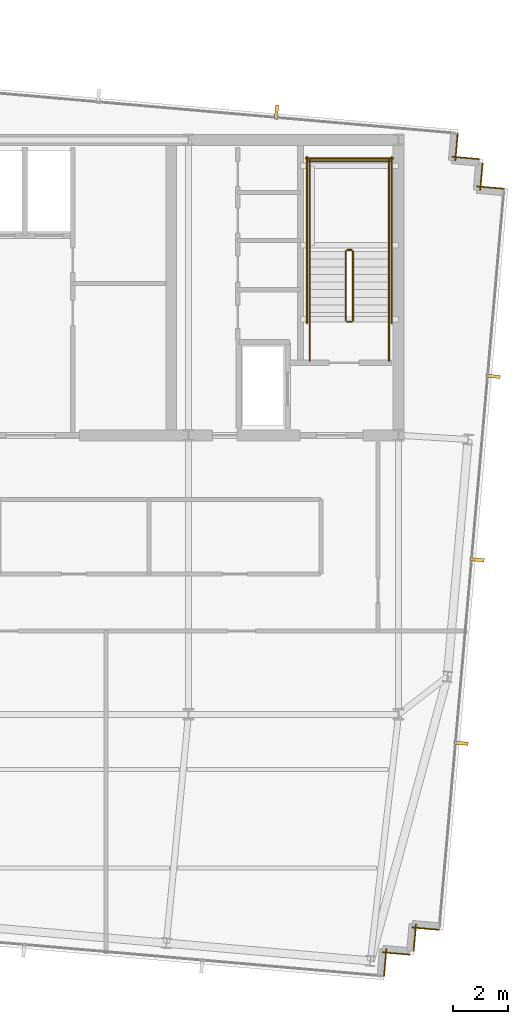
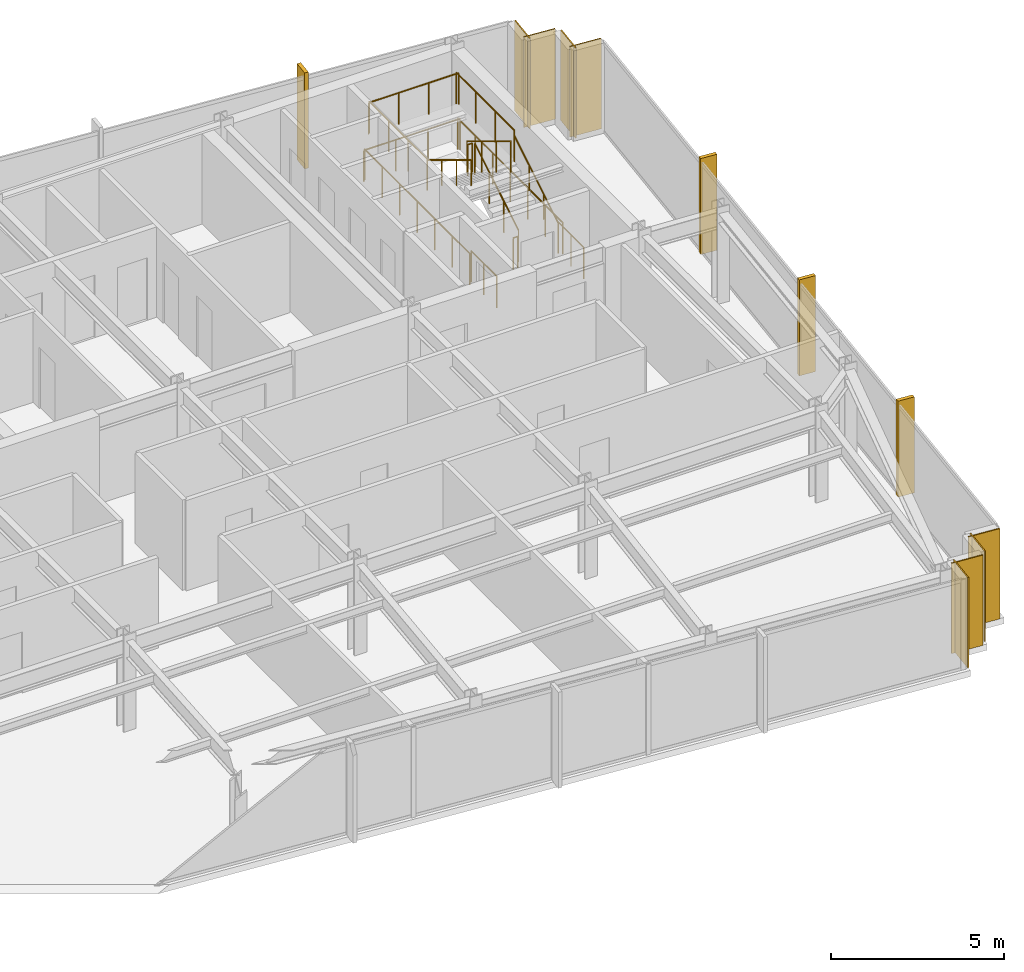
# One storey, part 31 of 32: 14 railings, 8 coverings, 4 shading devices.
"""IFC4 building model written with IfcOpenShell, lengths in metres."""

from ifc_helpers import new_model, si_unit, direction, frame, frame_2d, origin, origin_2d, place, context, subcontext, project, spatial, rectangle, circle, extrude, material, layer, layer_set, type_object, element, save


model = new_model("IFC4")

# Units and contexts
model_context = context("Model", 3, precision=1e-05, world=origin(), true_north=direction((0.0, 1.0)))
body_context = subcontext(model_context, "Body", "Model", "MODEL_VIEW")
ifc_project = project(units=[si_unit("LENGTHUNIT", "METRE"), si_unit("AREAUNIT", "SQUARE_METRE"), si_unit("VOLUMEUNIT", "CUBIC_METRE"), si_unit("PLANEANGLEUNIT", "RADIAN"), si_unit("MASSUNIT", "GRAM", prefix="KILO")], contexts=[model_context])

# Site, building, storey
site_placement = place(None, origin())
site = spatial("IfcSite", under=ifc_project, at=site_placement, CompositionType="ELEMENT")
building_placement = place(site_placement, origin())
building = spatial("IfcBuilding", under=site, at=building_placement, Name="Yelkora Congress Tower", CompositionType="ELEMENT")
storey_placement = place(building_placement, frame((0.0, 0.0, 269.300048828125)))
storey = spatial("IfcBuildingStorey", under=building, at=storey_placement, Name="L75", CompositionType="ELEMENT", Elevation=269.300048828125)

# Coverings
ifc_material_1 = material(Name="Anatolian bush-hammered limestone", Category="masonry")
ifc_layer_1 = layer(ifc_material_1, 0.0400390625)
ifc_layer_set_1 = layer_set([ifc_layer_1], Name="Anatolian bush-hammered limestone")
covering_type = type_object("IfcCoveringType", Name="COV-CLAD-SPANDREL-40", PredefinedType="CLADDING", material=ifc_layer_set_1)
for number, where, z_axis, x_axis, name in (
    (1, (55.92041015625, 46.431396484375, 0.0), (0.0, 0.0, 1.0), (-0.086903493655, -0.996216734848, 0.0), "L75 Anatolian Limestone Cladding EW-L75-SR11"),
    (2, (55.710693359375, 45.581298828125, 0.0), (0.0, 0.0, 1.0), (0.996193717496, -0.087166950281, 0.0), "L75 Anatolian Limestone Cladding EW-L75-SR12"),
    (3, (56.82958984375, 45.347900390625, 0.0), (0.0, 0.0, 1.0), (-0.087166950281, -0.996193717496, 0.0), "L75 Anatolian Limestone Cladding EW-L75-SR13"),
):
    element("IfcCovering", number, at=place(storey_placement, frame(where, z_axis=z_axis, x_axis=x_axis)), inside=storey, type_object=covering_type, Name=name, PredefinedType="CLADDING", context=body_context, shape_type="SweptSolid", body=[
        extrude(rectangle(XDim=1.0, YDim=0.0400390625, at=frame_2d((0.5, 0.0))), origin(), (0.0, 0.0, 1.0), 3.179931640625),
    ])
covering_1_placement = place(storey_placement, frame((56.61962890625, 44.498046875, 0.0), z_axis=(0.0, 0.0, 1.0), x_axis=(0.996195572005, -0.087145753297, 0.0)))
element("IfcCovering", 4, at=covering_1_placement, inside=storey, type_object=covering_type, Name="L75 Anatolian Limestone Cladding EW-L75-SR14", PredefinedType="CLADDING", context=body_context, shape_type="SweptSolid", body=[
    extrude(rectangle(XDim=1.000244140625, YDim=0.0400390625, at=frame_2d((0.5, 0.0))), origin(), (0.0, 0.0, 1.0), 3.179931640625),
])
for number, where, z_axis, x_axis, name in (
    (5, (55.24609375, 17.32421875, 0.0), (0.0, 0.0, 1.0), (-0.99617248636, 0.08740925248, 0.0), "L75 Anatolian Limestone Cladding EW-L75-SR16"),
    (6, (54.396240234375, 17.5341796875, 0.0), (0.0, 0.0, 1.0), (-0.087166950281, -0.996193717496, 0.0), "L75 Anatolian Limestone Cladding EW-L75-SR17"),
):
    element("IfcCovering", number, at=place(storey_placement, frame(where, z_axis=z_axis, x_axis=x_axis)), inside=storey, type_object=covering_type, Name=name, PredefinedType="CLADDING", context=body_context, shape_type="SweptSolid", body=[
        extrude(rectangle(XDim=1.0, YDim=0.0400390625, at=frame_2d((0.5, 0.0))), origin(), (0.0, 0.0, 1.0), 3.179931640625),
    ])
covering_2_placement = place(storey_placement, frame((54.162841796875, 16.415283203125, 0.0), z_axis=(0.0, 0.0, 1.0), x_axis=(-0.996195572005, 0.087145753297, 0.0)))
element("IfcCovering", 7, at=covering_2_placement, inside=storey, type_object=covering_type, Name="L75 Anatolian Limestone Cladding EW-L75-SR18", PredefinedType="CLADDING", context=body_context, shape_type="SweptSolid", body=[
    extrude(rectangle(XDim=1.000244140625, YDim=0.0400390625, at=frame_2d((0.5, 0.0))), origin(), (0.0, 0.0, 1.0), 3.179931640625),
])
covering_3_placement = place(storey_placement, frame((53.312744140625, 16.625, 0.0), z_axis=(0.0, 0.0, 1.0), x_axis=(-0.087166950281, -0.996193717496, 0.0)))
element("IfcCovering", 8, at=covering_3_placement, inside=storey, type_object=covering_type, Name="L75 Anatolian Limestone Cladding EW-L75-SR19", PredefinedType="CLADDING", context=body_context, shape_type="SweptSolid", body=[
    extrude(rectangle(XDim=1.0, YDim=0.0400390625, at=frame_2d((0.5, 0.0))), origin(), (0.0, 0.0, 1.0), 3.179931640625),
])

# Railings
ifc_material_2 = material(Name="Painted galvanised steel stair well guard with vertical infill", Category="steel")
ifc_layer_2 = layer(ifc_material_2, 0.06005859375)
ifc_layer_set_2 = layer_set([ifc_layer_2], Name="Painted galvanised steel stair well guard with vertical infill")
railing_type_1 = type_object("IfcRailingType", Name="RAIL-STAIR-GUARD-1120", PredefinedType="GUARDRAIL", material=ifc_layer_set_2)
railing_1_placement = place(storey_placement, frame((52.090087890625, 39.60009765625, 0.169921875)))
element("IfcRailing", 9, at=railing_1_placement, inside=storey, type_object=railing_type_1, Name="ST-02 L75 Stair Well Guardrail 1", PredefinedType="GUARDRAIL", context=body_context, shape_type="SweptSolid", body=[
    extrude(circle(Radius=0.02392578125, at=origin_2d()), frame((0.0, 0.0, 1.09619140625), z_axis=(0.0, 0.85478489116, 0.518982456201), x_axis=(-1.0, 0.0, 0.0)), (0.0, 0.0, 1.0), 2.9482421875),
    extrude(circle(Radius=0.02099609375, at=origin_2d()), origin(), (0.0, 0.0, 1.0), 1.072021484375),
    extrude(circle(Radius=0.02099609375, at=origin_2d()), frame((0.0, 0.840087890625, 0.510009765625)), (0.0, 0.0, 1.0), 1.072021484375),
    extrude(circle(Radius=0.02099609375, at=origin_2d()), frame((0.0, 1.679931640625, 1.02001953125)), (0.0, 0.0, 1.0), 1.072021484375),
    extrude(circle(Radius=0.02099609375, at=origin_2d()), frame((0.0, 2.52001953125, 1.530029296875)), (0.0, 0.0, 1.0), 1.072021484375),
])
railing_2_placement = place(storey_placement, frame((52.0400390625, 42.169921875, 1.699951171875)))
element("IfcRailing", 10, at=railing_2_placement, inside=storey, type_object=railing_type_1, Name="ST-02 L75 Stair Well Guardrail 2", PredefinedType="GUARDRAIL", context=body_context, shape_type="SweptSolid", body=[
    extrude(circle(Radius=0.02392578125, at=origin_2d()), frame((0.0, 0.0, 1.09619140625), z_axis=(-1.0, 0.0, 0.0), x_axis=(0.0, -1.0, 0.0)), (0.0, 0.0, 1.0), 0.16015625),
    extrude(circle(Radius=0.02099609375, at=origin_2d()), origin(), (0.0, 0.0, 1.0), 1.072021484375),
    extrude(circle(Radius=0.02099609375, at=origin_2d()), frame((-0.16015625, 0.0, 0.0)), (0.0, 0.0, 1.0), 1.072021484375),
])
for number, where, name in (
    (11, (53.409912109375, 42.1201171875, 1.699951171875), "ST-02 L75 Stair Well Guardrail 3"),
    (12, (50.510009765625, 42.1201171875, 1.699951171875), "ST-02 L75 Stair Well Guardrail 4"),
):
    element("IfcRailing", number, at=place(storey_placement, frame(where)), inside=storey, type_object=railing_type_1, Name=name, PredefinedType="GUARDRAIL", context=body_context, shape_type="SweptSolid", body=[
        extrude(circle(Radius=0.02392578125, at=origin_2d()), frame((0.0, 0.0, 1.09619140625), z_axis=(0.0, 1.0, 0.0), x_axis=(-1.0, 0.0, 0.0)), (0.0, 0.0, 1.0), 3.349853515625),
        extrude(circle(Radius=0.02099609375, at=origin_2d()), origin(), (0.0, 0.0, 1.0), 1.072021484375),
        extrude(circle(Radius=0.02099609375, at=origin_2d()), frame((0.0, 1.11669921875, 0.0)), (0.0, 0.0, 1.0), 1.072021484375),
        extrude(circle(Radius=0.02099609375, at=origin_2d()), frame((0.0, 2.233154296875, 0.0)), (0.0, 0.0, 1.0), 1.072021484375),
        extrude(circle(Radius=0.02099609375, at=origin_2d()), frame((0.0, 3.349853515625, 0.0)), (0.0, 0.0, 1.0), 1.072021484375),
    ])
railing_3_placement = place(storey_placement, frame((53.4599609375, 45.419921875, 1.699951171875)))
element("IfcRailing", 13, at=railing_3_placement, inside=storey, type_object=railing_type_1, Name="ST-02 L75 Stair Well Guardrail 5", PredefinedType="GUARDRAIL", context=body_context, shape_type="SweptSolid", body=[
    extrude(circle(Radius=0.02392578125, at=origin_2d()), frame((0.0, 0.0, 1.09619140625), z_axis=(-1.0, 0.0, 0.0), x_axis=(0.0, -1.0, 0.0)), (0.0, 0.0, 1.0), 3.0),
    extrude(circle(Radius=0.02099609375, at=origin_2d()), origin(), (0.0, 0.0, 1.0), 1.072021484375),
    extrude(circle(Radius=0.02099609375, at=origin_2d()), frame((-1.0, 0.0, 0.0)), (0.0, 0.0, 1.0), 1.072021484375),
    extrude(circle(Radius=0.02099609375, at=origin_2d()), frame((-2.0, 0.0, 0.0)), (0.0, 0.0, 1.0), 1.072021484375),
    extrude(circle(Radius=0.02099609375, at=origin_2d()), frame((-3.0, 0.0, 0.0)), (0.0, 0.0, 1.0), 1.072021484375),
])
railing_4_placement = place(storey_placement, frame((51.830078125, 42.1201171875, 1.869873046875)))
element("IfcRailing", 14, at=railing_4_placement, inside=storey, type_object=railing_type_1, Name="ST-02 L75 Stair Well Guardrail 6", PredefinedType="GUARDRAIL", context=body_context, shape_type="SweptSolid", body=[
    extrude(circle(Radius=0.02392578125, at=origin_2d()), frame((0.0, 0.0, 1.09619140625), z_axis=(0.0, -0.85478489116, 0.518982456201), x_axis=(1.0, 0.0, 0.0)), (0.0, 0.0, 1.0), 2.9482421875),
    extrude(circle(Radius=0.02099609375, at=origin_2d()), origin(), (0.0, 0.0, 1.0), 1.072021484375),
    extrude(circle(Radius=0.02099609375, at=origin_2d()), frame((0.0, -0.840087890625, 0.510009765625)), (0.0, 0.0, 1.0), 1.072021484375),
    extrude(circle(Radius=0.02099609375, at=origin_2d()), frame((0.0, -1.679931640625, 1.02001953125)), (0.0, 0.0, 1.0), 1.072021484375),
    extrude(circle(Radius=0.02099609375, at=origin_2d()), frame((0.0, -2.52001953125, 1.530029296875)), (0.0, 0.0, 1.0), 1.072021484375),
])
railing_5_placement = place(storey_placement, frame((52.0400390625, 39.550048828125, 0.0)))
element("IfcRailing", 15, at=railing_5_placement, inside=storey, type_object=railing_type_1, Name="ST-02 L75 Stair Well Guardrail 7", PredefinedType="GUARDRAIL", context=body_context, shape_type="SweptSolid", body=[
    extrude(circle(Radius=0.02392578125, at=origin_2d()), frame((0.0, 0.0, 1.09619140625), z_axis=(-1.0, 0.0, 0.0), x_axis=(0.0, -1.0, 0.0)), (0.0, 0.0, 1.0), 0.16015625),
    extrude(circle(Radius=0.02099609375, at=origin_2d()), origin(), (0.0, 0.0, 1.0), 1.072021484375),
    extrude(circle(Radius=0.02099609375, at=origin_2d()), frame((-0.16015625, 0.0, 0.0)), (0.0, 0.0, 1.0), 1.072021484375),
])
for number, where, name in (
    (16, (53.409912109375, 38.1201171875, 0.0), "ST-02 L75 Stair Well Guardrail 8"),
    (17, (50.510009765625, 38.1201171875, 0.0), "ST-02 L75 Stair Well Guardrail 9"),
):
    element("IfcRailing", number, at=place(storey_placement, frame(where)), inside=storey, type_object=railing_type_1, Name=name, PredefinedType="GUARDRAIL", context=body_context, shape_type="SweptSolid", body=[
        extrude(circle(Radius=0.02392578125, at=origin_2d()), frame((0.0, 0.0, 1.09619140625), z_axis=(0.0, 1.0, 0.0), x_axis=(-1.0, 0.0, 0.0)), (0.0, 0.0, 1.0), 1.47998046875),
        extrude(circle(Radius=0.02099609375, at=origin_2d()), origin(), (0.0, 0.0, 1.0), 1.072021484375),
        extrude(circle(Radius=0.02099609375, at=origin_2d()), frame((0.0, 0.739990234375, 0.0)), (0.0, 0.0, 1.0), 1.072021484375),
        extrude(circle(Radius=0.02099609375, at=origin_2d()), frame((0.0, 1.47998046875, 0.0)), (0.0, 0.0, 1.0), 1.072021484375),
    ])
for number, where, name in (
    (18, (53.510009765625, 39.5, 0.0), "ST-02 L75 Stair Well Guardrail 10"),
    (19, (50.409912109375, 39.5, 0.0), "ST-02 L75 Stair Well Guardrail 11"),
):
    element("IfcRailing", number, at=place(storey_placement, frame(where)), inside=storey, type_object=railing_type_1, Name=name, PredefinedType="GUARDRAIL", context=body_context, shape_type="SweptSolid", body=[
        extrude(circle(Radius=0.02392578125, at=origin_2d()), frame((0.0, 0.0, 1.09619140625), z_axis=(0.0, 1.0, 0.0), x_axis=(-1.0, 0.0, 0.0)), (0.0, 0.0, 1.0), 6.070068359375),
        extrude(circle(Radius=0.02099609375, at=origin_2d()), origin(), (0.0, 0.0, 1.0), 1.072021484375),
        extrude(circle(Radius=0.02099609375, at=origin_2d()), frame((0.0, 1.01171875, 0.0)), (0.0, 0.0, 1.0), 1.072021484375),
        extrude(circle(Radius=0.02099609375, at=origin_2d()), frame((0.0, 2.0234375, 0.0)), (0.0, 0.0, 1.0), 1.072021484375),
        extrude(circle(Radius=0.02099609375, at=origin_2d()), frame((0.0, 3.03515625, 0.0)), (0.0, 0.0, 1.0), 1.072021484375),
        extrude(circle(Radius=0.02099609375, at=origin_2d()), frame((0.0, 4.046630859375, 0.0)), (0.0, 0.0, 1.0), 1.072021484375),
        extrude(circle(Radius=0.02099609375, at=origin_2d()), frame((0.0, 5.058349609375, 0.0)), (0.0, 0.0, 1.0), 1.072021484375),
        extrude(circle(Radius=0.02099609375, at=origin_2d()), frame((0.0, 6.070068359375, 0.0)), (0.0, 0.0, 1.0), 1.072021484375),
    ])
railing_6_placement = place(storey_placement, frame((53.56005859375, 45.52001953125, 0.0)))
element("IfcRailing", 20, at=railing_6_placement, inside=storey, type_object=railing_type_1, Name="ST-02 L75 Stair Well Guardrail 12", PredefinedType="GUARDRAIL", context=body_context, shape_type="SweptSolid", body=[
    extrude(circle(Radius=0.02392578125, at=origin_2d()), frame((0.0, 0.0, 1.09619140625), z_axis=(-1.0, 0.0, 0.0), x_axis=(0.0, -1.0, 0.0)), (0.0, 0.0, 1.0), 3.199951171875),
    extrude(circle(Radius=0.02099609375, at=origin_2d()), origin(), (0.0, 0.0, 1.0), 1.072021484375),
    extrude(circle(Radius=0.02099609375, at=origin_2d()), frame((-1.066650390625, 0.0, 0.0)), (0.0, 0.0, 1.0), 1.072021484375),
    extrude(circle(Radius=0.02099609375, at=origin_2d()), frame((-2.13330078125, 0.0, 0.0)), (0.0, 0.0, 1.0), 1.072021484375),
    extrude(circle(Radius=0.02099609375, at=origin_2d()), frame((-3.199951171875, 0.0, 0.0)), (0.0, 0.0, 1.0), 1.072021484375),
])
ifc_material_3 = material(Name="Brushed stainless steel tubular handrail", Category="steel")
ifc_layer_3 = layer(ifc_material_3, 0.050048828125)
ifc_layer_set_3 = layer_set([ifc_layer_3], Name="Brushed stainless steel tubular handrail")
railing_type_2 = type_object("IfcRailingType", Name="RAIL-STAIR-HAND-920", PredefinedType="HANDRAIL", material=ifc_layer_set_3)
railing_7_placement = place(storey_placement, frame((53.409912109375, 39.60009765625, 0.169921875)))
element("IfcRailing", 21, at=railing_7_placement, inside=storey, type_object=railing_type_2, Name="ST-02 L75 Pitch Handrail 1", PredefinedType="HANDRAIL", context=body_context, shape_type="SweptSolid", body=[
    extrude(circle(Radius=0.02392578125, at=origin_2d()), frame((0.0, 0.0, 0.89599609375), z_axis=(0.0, 0.85478489116, 0.518982456201), x_axis=(-1.0, 0.0, 0.0)), (0.0, 0.0, 1.0), 2.9482421875),
    extrude(circle(Radius=0.02099609375, at=origin_2d()), origin(), (0.0, 0.0, 1.0), 0.871826171875),
    extrude(circle(Radius=0.02099609375, at=origin_2d()), frame((0.0, 0.840087890625, 0.510009765625)), (0.0, 0.0, 1.0), 0.871826171875),
    extrude(circle(Radius=0.02099609375, at=origin_2d()), frame((0.0, 1.679931640625, 1.02001953125)), (0.0, 0.0, 1.0), 0.871826171875),
    extrude(circle(Radius=0.02099609375, at=origin_2d()), frame((0.0, 2.52001953125, 1.530029296875)), (0.0, 0.0, 1.0), 0.871826171875),
])
railing_8_placement = place(storey_placement, frame((50.510009765625, 42.1201171875, 1.869873046875)))
element("IfcRailing", 22, at=railing_8_placement, inside=storey, type_object=railing_type_2, Name="ST-02 L75 Pitch Handrail 2", PredefinedType="HANDRAIL", context=body_context, shape_type="SweptSolid", body=[
    extrude(circle(Radius=0.02392578125, at=origin_2d()), frame((0.0, 0.0, 0.89599609375), z_axis=(0.0, -0.85478489116, 0.518982456201), x_axis=(1.0, 0.0, 0.0)), (0.0, 0.0, 1.0), 2.9482421875),
    extrude(circle(Radius=0.02099609375, at=origin_2d()), origin(), (0.0, 0.0, 1.0), 0.871826171875),
    extrude(circle(Radius=0.02099609375, at=origin_2d()), frame((0.0, -0.840087890625, 0.510009765625)), (0.0, 0.0, 1.0), 0.871826171875),
    extrude(circle(Radius=0.02099609375, at=origin_2d()), frame((0.0, -1.679931640625, 1.02001953125)), (0.0, 0.0, 1.0), 0.871826171875),
    extrude(circle(Radius=0.02099609375, at=origin_2d()), frame((0.0, -2.52001953125, 1.530029296875)), (0.0, 0.0, 1.0), 0.871826171875),
])

# Shading devices
ifc_material_4 = material(Name="Champagne anodised aluminium", Category="aluminium")
ifc_layer_4 = layer(ifc_material_4, 3.300048828125)
ifc_layer_set_4 = layer_set([ifc_layer_4], Name="Champagne anodised aluminium")
shading_device_type = type_object("IfcShadingDeviceType", Name="SHD-FIN-ALU-520", PredefinedType="USERDEFINED", material=ifc_layer_set_4)
for number, where, z_axis, x_axis, name in (
    (23, (49.296875, 47.21142578125, -0.030029296875), (0.0, 0.0, 1.0), (0.996194698092, -0.087155742748, 0.0), "L75 Vertical Anodised Solar Fin 10-6"),
    (24, (57.216796875, 37.554443359375, -0.030029296875), (0.0, 0.0, 1.0), (-0.087155742748, -0.996194698092, 0.0), "L75 Vertical Anodised Solar Fin 15-1"),
    (25, (56.630126953125, 30.85009765625, -0.030029296875), (0.0, 0.0, 1.0), (-0.087155742748, -0.996194698092, 0.0), "L75 Vertical Anodised Solar Fin 15-2"),
    (26, (56.043701171875, 24.145751953125, -0.030029296875), (0.0, 0.0, 1.0), (-0.087155742748, -0.996194698092, 0.0), "L75 Vertical Anodised Solar Fin 15-3"),
):
    element("IfcShadingDevice", number, at=place(storey_placement, frame(where, z_axis=z_axis, x_axis=x_axis)), inside=storey, type_object=shading_device_type, Name=name, ObjectType="FIN", PredefinedType="USERDEFINED", context=body_context, shape_type="SweptSolid", body=[
        extrude(rectangle(XDim=0.1201171875, YDim=0.52001953125, at=origin_2d()), origin(), (0.0, 0.0, 1.0), 3.3798828125),
    ])

save(model, "model.ifc")
